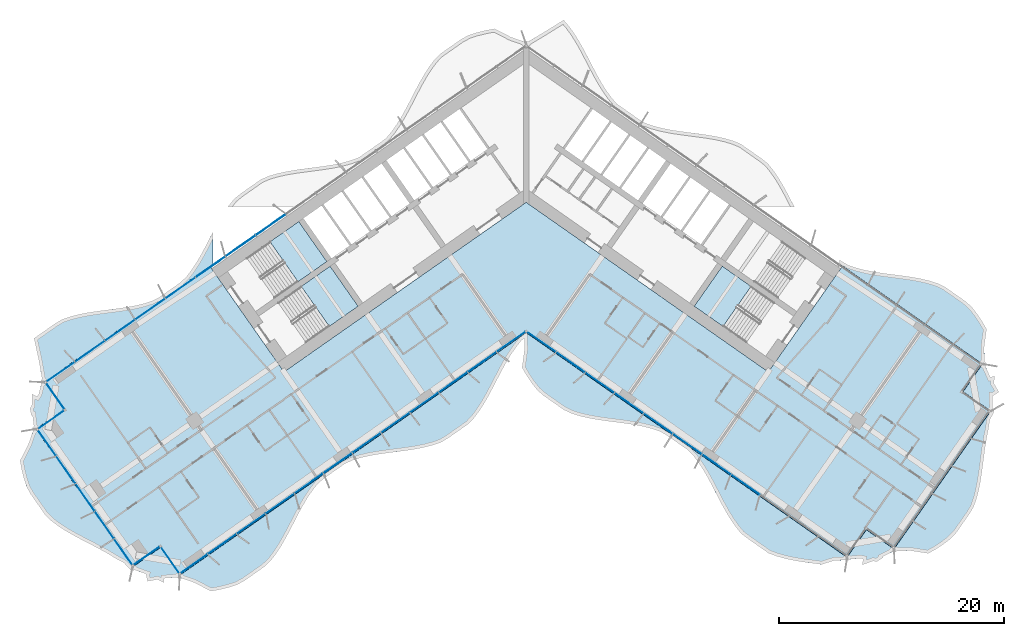
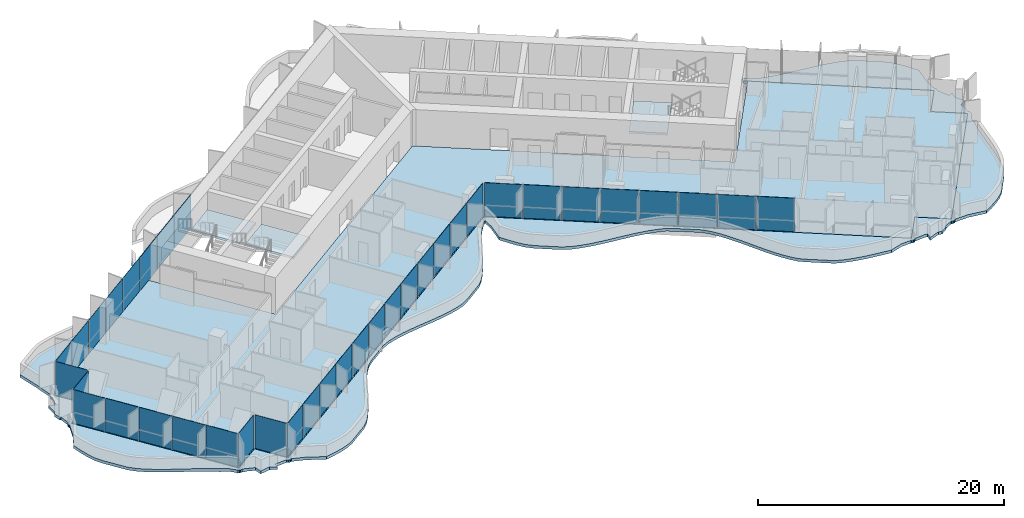
# One storey, part 10 of 23: 37 plates, 5 slabs, 5 elements without a shape of their own.
"""IFC4 building model written with IfcOpenShell, lengths in metres."""

from ifc_helpers import new_model, si_unit, direction, frame, origin, origin_2d, place, context, subcontext, project, spatial, polyline, rectangle, outline, extrude, material, layer, layer_set, type_object, element, aggregate, save


model = new_model("IFC4")

# Units and contexts
model_context = context("Model", 3, precision=1e-05, world=origin(), true_north=direction((0.0, 1.0)))
body_context = subcontext(model_context, "Body", "Model", "MODEL_VIEW")
ifc_project = project(units=[si_unit("LENGTHUNIT", "METRE"), si_unit("AREAUNIT", "SQUARE_METRE"), si_unit("VOLUMEUNIT", "CUBIC_METRE"), si_unit("PLANEANGLEUNIT", "RADIAN"), si_unit("MASSUNIT", "GRAM", prefix="KILO")], contexts=[model_context])

# Site, building, storey
site_placement = place(None, origin())
site = spatial("IfcSite", under=ifc_project, at=site_placement, CompositionType="ELEMENT")
building_placement = place(site_placement, origin())
building = spatial("IfcBuilding", under=site, at=building_placement, Name="Tel Ilan Convention Tower", CompositionType="ELEMENT")
storey_placement = place(building_placement, frame((0.0, 0.0, 94.10009765625)))
storey = spatial("IfcBuildingStorey", under=building, at=storey_placement, Name="L19", CompositionType="ELEMENT", Elevation=94.10009765625)

# Curtain wall, plates
ifc_material_1 = material(Name="Aluminium, bronze anodised", Category="aluminium")
curtain_wall_type_1 = type_object("IfcCurtainWallType", Name="CW1 UNITISED CURTAIN WALL, HOTEL TINTED GLASS", PredefinedType="NOTDEFINED", material=ifc_material_1)
curtain_wall_1_placement = place(storey_placement, origin())
curtain_wall_1 = element("IfcCurtainWall", 1, at=curtain_wall_1_placement, inside=storey, type_object=curtain_wall_type_1, Name="Curtain wall CW1-17.02", PredefinedType="NOTDEFINED")
ifc_material_2 = material(Name="Glass, bronze tinted, two-ply unitised", Category="glass")
ifc_layer_1 = layer(ifc_material_2, 0.028076171875)
ifc_layer_set_1 = layer_set([ifc_layer_1], Name="CW HOTEL GLASS PANEL 28")
plate_type_1 = type_object("IfcPlateType", Name="CW HOTEL GLASS PANEL 28", PredefinedType="CURTAIN_PANEL", material=ifc_layer_set_1)
plate_1_placement = place(storey_placement, frame((-30.765869140625, -8.846435546875, 0.0), z_axis=(0.0, 0.0, 1.0), x_axis=(-0.819152044289, -0.573576436351, 0.0)))
plate_1 = element("IfcPlate", 2, at=plate_1_placement, type_object=plate_type_1, Name="Glass panel", PredefinedType="CURTAIN_PANEL", context=body_context, shape_type="SweptSolid", body=[
    extrude(rectangle(XDim=3.2119140625, YDim=0.028076171875, at=origin_2d()), origin(), (0.0, 0.0, 1.0), 3.320068359375),
])
plate_2_placement = place(storey_placement, frame((-33.446044921875, -10.72314453125, 0.0), z_axis=(0.0, 0.0, 1.0), x_axis=(-0.819152044289, -0.573576436351, 0.0)))
plate_2 = element("IfcPlate", 3, at=plate_2_placement, type_object=plate_type_1, Name="Glass panel", PredefinedType="CURTAIN_PANEL", context=body_context, shape_type="SweptSolid", body=[
    extrude(rectangle(XDim=3.2119140625, YDim=0.028076171875, at=origin_2d()), origin(), (0.0, 0.0, 1.0), 3.320068359375),
])
plate_3_placement = place(storey_placement, frame((-36.12646484375, -12.599853515625, 0.0), z_axis=(0.0, 0.0, 1.0), x_axis=(-0.819152044289, -0.573576436351, 0.0)))
plate_3 = element("IfcPlate", 4, at=plate_3_placement, type_object=plate_type_1, Name="Glass panel", PredefinedType="CURTAIN_PANEL", context=body_context, shape_type="SweptSolid", body=[
    extrude(rectangle(XDim=3.2119140625, YDim=0.028076171875, at=origin_2d()), origin(), (0.0, 0.0, 1.0), 3.320068359375),
])
plate_4_placement = place(storey_placement, frame((-38.806640625, -14.4765625, 0.0), z_axis=(0.0, 0.0, 1.0), x_axis=(-0.819152044289, -0.573576436351, 0.0)))
plate_4 = element("IfcPlate", 5, at=plate_4_placement, type_object=plate_type_1, Name="Glass panel", PredefinedType="CURTAIN_PANEL", context=body_context, shape_type="SweptSolid", body=[
    extrude(rectangle(XDim=3.2119140625, YDim=0.028076171875, at=origin_2d()), origin(), (0.0, 0.0, 1.0), 3.320068359375),
])
plate_5_placement = place(storey_placement, frame((-41.448486328125, -16.326416015625, 0.0), z_axis=(0.0, 0.0, 1.0), x_axis=(-0.819152044289, -0.573576436351, 0.0)))
plate_5 = element("IfcPlate", 6, at=plate_5_placement, type_object=plate_type_1, Name="Glass panel", PredefinedType="CURTAIN_PANEL", context=body_context, shape_type="SweptSolid", body=[
    extrude(rectangle(XDim=3.117919921875, YDim=0.028076171875, at=origin_2d()), origin(), (0.0, 0.0, 1.0), 3.320068359375),
])
plate_6_placement = place(storey_placement, frame((-41.90673828125, -18.431640625, 0.0), z_axis=(0.0, 0.0, 1.0), x_axis=(0.573576436351, -0.819152044289, 0.0)))
plate_6 = element("IfcPlate", 7, at=plate_6_placement, type_object=plate_type_1, Name="Glass panel", PredefinedType="CURTAIN_PANEL", context=body_context, shape_type="SweptSolid", body=[
    extrude(rectangle(XDim=2.875, YDim=0.028076171875, at=origin_2d()), origin(), (0.0, 0.0, 1.0), 3.320068359375),
])
plate_7_placement = place(storey_placement, frame((-42.28466796875, -20.57421875, 0.0), z_axis=(0.0, 0.0, 1.0), x_axis=(-0.819152044289, -0.573576436351, 0.0)))
plate_7 = element("IfcPlate", 8, at=plate_7_placement, type_object=plate_type_1, Name="Glass panel", PredefinedType="CURTAIN_PANEL", context=body_context, shape_type="SweptSolid", body=[
    extrude(rectangle(XDim=2.875, YDim=0.028076171875, at=origin_2d()), origin(), (0.0, 0.0, 1.0), 3.320068359375),
])
plate_8_placement = place(storey_placement, frame((-42.65185546875, -22.597900390625, 0.0), z_axis=(0.0, 0.0, 1.0), x_axis=(0.573576436351, -0.819152044289, 0.0)))
plate_8 = element("IfcPlate", 9, at=plate_8_placement, type_object=plate_type_1, Name="Glass panel", PredefinedType="CURTAIN_PANEL", context=body_context, shape_type="SweptSolid", body=[
    extrude(rectangle(XDim=2.845947265625, YDim=0.028076171875, at=origin_2d()), origin(), (0.0, 0.0, 1.0), 3.320068359375),
])
plate_9_placement = place(storey_placement, frame((-40.9580078125, -25.016845703125, 0.0), z_axis=(0.0, 0.0, 1.0), x_axis=(0.573576436351, -0.819152044289, 0.0)))
plate_9 = element("IfcPlate", 10, at=plate_9_placement, type_object=plate_type_1, Name="Glass panel", PredefinedType="CURTAIN_PANEL", context=body_context, shape_type="SweptSolid", body=[
    extrude(rectangle(XDim=2.93994140625, YDim=0.028076171875, at=origin_2d()), origin(), (0.0, 0.0, 1.0), 3.320068359375),
])
plate_10_placement = place(storey_placement, frame((-39.2373046875, -27.474365234375, 0.0), z_axis=(0.0, 0.0, 1.0), x_axis=(0.573576436351, -0.819152044289, 0.0)))
plate_10 = element("IfcPlate", 11, at=plate_10_placement, type_object=plate_type_1, Name="Glass panel", PredefinedType="CURTAIN_PANEL", context=body_context, shape_type="SweptSolid", body=[
    extrude(rectangle(XDim=2.93994140625, YDim=0.028076171875, at=origin_2d()), origin(), (0.0, 0.0, 1.0), 3.320068359375),
])
plate_11_placement = place(storey_placement, frame((-37.5166015625, -29.931884765625, 0.0), z_axis=(0.0, 0.0, 1.0), x_axis=(0.573576436351, -0.819152044289, 0.0)))
plate_11 = element("IfcPlate", 12, at=plate_11_placement, type_object=plate_type_1, Name="Glass panel", PredefinedType="CURTAIN_PANEL", context=body_context, shape_type="SweptSolid", body=[
    extrude(rectangle(XDim=2.93994140625, YDim=0.028076171875, at=origin_2d()), origin(), (0.0, 0.0, 1.0), 3.320068359375),
])
plate_12_placement = place(storey_placement, frame((-35.822998046875, -32.350830078125, 0.0), z_axis=(0.0, 0.0, 1.0), x_axis=(0.573576436351, -0.819152044289, 0.0)))
plate_12 = element("IfcPlate", 13, at=plate_12_placement, type_object=plate_type_1, Name="Glass panel", PredefinedType="CURTAIN_PANEL", context=body_context, shape_type="SweptSolid", body=[
    extrude(rectangle(XDim=2.845947265625, YDim=0.028076171875, at=origin_2d()), origin(), (0.0, 0.0, 1.0), 3.320068359375),
])
plate_13_placement = place(storey_placement, frame((-33.795654296875, -32.69775390625, 0.0), z_axis=(0.0, 0.0, 1.0), x_axis=(0.819152044289, 0.573576436351, 0.0)))
plate_13 = element("IfcPlate", 14, at=plate_13_placement, type_object=plate_type_1, Name="Glass panel", PredefinedType="CURTAIN_PANEL", context=body_context, shape_type="SweptSolid", body=[
    extrude(rectangle(XDim=2.875, YDim=0.028076171875, at=origin_2d()), origin(), (0.0, 0.0, 1.0), 3.320068359375),
])
plate_14_placement = place(storey_placement, frame((-31.653076171875, -33.07568359375, 0.0), z_axis=(0.0, 0.0, 1.0), x_axis=(0.573576436351, -0.819152044289, 0.0)))
plate_14 = element("IfcPlate", 15, at=plate_14_placement, type_object=plate_type_1, Name="Glass panel", PredefinedType="CURTAIN_PANEL", context=body_context, shape_type="SweptSolid", body=[
    extrude(rectangle(XDim=2.875, YDim=0.028076171875, at=origin_2d()), origin(), (0.0, 0.0, 1.0), 3.320068359375),
])
plate_15_placement = place(storey_placement, frame((-29.5732421875, -33.4033203125, 0.0), z_axis=(0.0, 0.0, 1.0), x_axis=(0.819152044289, 0.573576436351, 0.0)))
plate_15 = element("IfcPlate", 16, at=plate_15_placement, type_object=plate_type_1, Name="Glass panel", PredefinedType="CURTAIN_PANEL", context=body_context, shape_type="SweptSolid", body=[
    extrude(rectangle(XDim=2.9833984375, YDim=0.028076171875, at=origin_2d()), origin(), (0.0, 0.0, 1.0), 3.320068359375),
])
plate_16_placement = place(storey_placement, frame((-27.041748046875, -31.630859375, 0.0), z_axis=(0.0, 0.0, 1.0), x_axis=(0.819152044289, 0.573576436351, 0.0)))
plate_16 = element("IfcPlate", 17, at=plate_16_placement, type_object=plate_type_1, Name="Glass panel", PredefinedType="CURTAIN_PANEL", context=body_context, shape_type="SweptSolid", body=[
    extrude(rectangle(XDim=3.077392578125, YDim=0.028076171875, at=origin_2d()), origin(), (0.0, 0.0, 1.0), 3.320068359375),
])
plate_17_placement = place(storey_placement, frame((-24.4716796875, -29.831298828125, 0.0), z_axis=(0.0, 0.0, 1.0), x_axis=(0.819152044289, 0.573576436351, 0.0)))
plate_17 = element("IfcPlate", 18, at=plate_17_placement, type_object=plate_type_1, Name="Glass panel", PredefinedType="CURTAIN_PANEL", context=body_context, shape_type="SweptSolid", body=[
    extrude(rectangle(XDim=3.077392578125, YDim=0.028076171875, at=origin_2d()), origin(), (0.0, 0.0, 1.0), 3.320068359375),
])
plate_18_placement = place(storey_placement, frame((-21.90185546875, -28.031982421875, 0.0), z_axis=(0.0, 0.0, 1.0), x_axis=(0.819152044289, 0.573576436351, 0.0)))
plate_18 = element("IfcPlate", 19, at=plate_18_placement, type_object=plate_type_1, Name="Glass panel", PredefinedType="CURTAIN_PANEL", context=body_context, shape_type="SweptSolid", body=[
    extrude(rectangle(XDim=3.077392578125, YDim=0.028076171875, at=origin_2d()), origin(), (0.0, 0.0, 1.0), 3.320068359375),
])
plate_19_placement = place(storey_placement, frame((-19.33203125, -26.232421875, 0.0), z_axis=(0.0, 0.0, 1.0), x_axis=(0.819152044289, 0.573576436351, 0.0)))
plate_19 = element("IfcPlate", 20, at=plate_19_placement, type_object=plate_type_1, Name="Glass panel", PredefinedType="CURTAIN_PANEL", context=body_context, shape_type="SweptSolid", body=[
    extrude(rectangle(XDim=3.077392578125, YDim=0.028076171875, at=origin_2d()), origin(), (0.0, 0.0, 1.0), 3.320068359375),
])
plate_20_placement = place(storey_placement, frame((-16.761962890625, -24.432861328125, 0.0), z_axis=(0.0, 0.0, 1.0), x_axis=(0.819152044289, 0.573576436351, 0.0)))
plate_20 = element("IfcPlate", 21, at=plate_20_placement, type_object=plate_type_1, Name="Glass panel", PredefinedType="CURTAIN_PANEL", context=body_context, shape_type="SweptSolid", body=[
    extrude(rectangle(XDim=3.077392578125, YDim=0.028076171875, at=origin_2d()), origin(), (0.0, 0.0, 1.0), 3.320068359375),
])
plate_21_placement = place(storey_placement, frame((-14.192138671875, -22.633544921875, 0.0), z_axis=(0.0, 0.0, 1.0), x_axis=(0.819152044289, 0.573576436351, 0.0)))
plate_21 = element("IfcPlate", 22, at=plate_21_placement, type_object=plate_type_1, Name="Glass panel", PredefinedType="CURTAIN_PANEL", context=body_context, shape_type="SweptSolid", body=[
    extrude(rectangle(XDim=3.077392578125, YDim=0.028076171875, at=origin_2d()), origin(), (0.0, 0.0, 1.0), 3.320068359375),
])
plate_22_placement = place(storey_placement, frame((-11.6220703125, -20.833984375, 0.0), z_axis=(0.0, 0.0, 1.0), x_axis=(0.819152044289, 0.573576436351, 0.0)))
plate_22 = element("IfcPlate", 23, at=plate_22_placement, type_object=plate_type_1, Name="Glass panel", PredefinedType="CURTAIN_PANEL", context=body_context, shape_type="SweptSolid", body=[
    extrude(rectangle(XDim=3.077392578125, YDim=0.028076171875, at=origin_2d()), origin(), (0.0, 0.0, 1.0), 3.320068359375),
])
plate_23_placement = place(storey_placement, frame((-9.05224609375, -19.034423828125, 0.0), z_axis=(0.0, 0.0, 1.0), x_axis=(0.819152044289, 0.573576436351, 0.0)))
plate_23 = element("IfcPlate", 24, at=plate_23_placement, type_object=plate_type_1, Name="Glass panel", PredefinedType="CURTAIN_PANEL", context=body_context, shape_type="SweptSolid", body=[
    extrude(rectangle(XDim=3.077392578125, YDim=0.028076171875, at=origin_2d()), origin(), (0.0, 0.0, 1.0), 3.320068359375),
])
plate_24_placement = place(storey_placement, frame((-6.482177734375, -17.23486328125, 0.0), z_axis=(0.0, 0.0, 1.0), x_axis=(0.819152044289, 0.573576436351, 0.0)))
plate_24 = element("IfcPlate", 25, at=plate_24_placement, type_object=plate_type_1, Name="Glass panel", PredefinedType="CURTAIN_PANEL", context=body_context, shape_type="SweptSolid", body=[
    extrude(rectangle(XDim=3.077392578125, YDim=0.028076171875, at=origin_2d()), origin(), (0.0, 0.0, 1.0), 3.320068359375),
])
plate_25_placement = place(storey_placement, frame((-3.912353515625, -15.435546875, 0.0), z_axis=(0.0, 0.0, 1.0), x_axis=(0.819152044289, 0.573576436351, 0.0)))
plate_25 = element("IfcPlate", 26, at=plate_25_placement, type_object=plate_type_1, Name="Glass panel", PredefinedType="CURTAIN_PANEL", context=body_context, shape_type="SweptSolid", body=[
    extrude(rectangle(XDim=3.077392578125, YDim=0.028076171875, at=origin_2d()), origin(), (0.0, 0.0, 1.0), 3.320068359375),
])
plate_26_placement = place(storey_placement, frame((-1.3427734375, -13.63623046875, 0.0), z_axis=(0.0, 0.0, 1.0), x_axis=(0.819152044289, 0.573576436351, 0.0)))
plate_26 = element("IfcPlate", 27, at=plate_26_placement, type_object=plate_type_1, Name="Glass panel", PredefinedType="CURTAIN_PANEL", context=body_context, shape_type="SweptSolid", body=[
    extrude(rectangle(XDim=3.076416015625, YDim=0.028076171875, at=origin_2d()), origin(), (0.0, 0.0, 1.0), 3.320068359375),
])
plate_27_placement = place(storey_placement, frame((1.366943359375, -13.653076171875, 0.0), z_axis=(0.0, 0.0, 1.0), x_axis=(0.819152044289, -0.573576436351, 0.0)))
plate_27 = element("IfcPlate", 28, at=plate_27_placement, type_object=plate_type_1, Name="Glass panel", PredefinedType="CURTAIN_PANEL", context=body_context, shape_type="SweptSolid", body=[
    extrude(rectangle(XDim=3.078857421875, YDim=0.028076171875, at=origin_2d()), origin(), (0.0, 0.0, 1.0), 3.320068359375),
])
plate_28_placement = place(storey_placement, frame((3.949951171875, -15.4619140625, 0.0), z_axis=(0.0, 0.0, 1.0), x_axis=(0.819152044289, -0.573576436351, 0.0)))
plate_28 = element("IfcPlate", 29, at=plate_28_placement, type_object=plate_type_1, Name="Glass panel", PredefinedType="CURTAIN_PANEL", context=body_context, shape_type="SweptSolid", body=[
    extrude(rectangle(XDim=3.10791015625, YDim=0.028076171875, at=origin_2d()), origin(), (0.0, 0.0, 1.0), 3.320068359375),
])
plate_29_placement = place(storey_placement, frame((6.544921875, -17.27880859375, 0.0), z_axis=(0.0, 0.0, 1.0), x_axis=(0.819152044289, -0.573576436351, 0.0)))
plate_29 = element("IfcPlate", 30, at=plate_29_placement, type_object=plate_type_1, Name="Glass panel", PredefinedType="CURTAIN_PANEL", context=body_context, shape_type="SweptSolid", body=[
    extrude(rectangle(XDim=3.10791015625, YDim=0.028076171875, at=origin_2d()), origin(), (0.0, 0.0, 1.0), 3.320068359375),
])
plate_30_placement = place(storey_placement, frame((9.14013671875, -19.095947265625, 0.0), z_axis=(0.0, 0.0, 1.0), x_axis=(0.819152044289, -0.573576436351, 0.0)))
plate_30 = element("IfcPlate", 31, at=plate_30_placement, type_object=plate_type_1, Name="Glass panel", PredefinedType="CURTAIN_PANEL", context=body_context, shape_type="SweptSolid", body=[
    extrude(rectangle(XDim=3.10791015625, YDim=0.028076171875, at=origin_2d()), origin(), (0.0, 0.0, 1.0), 3.320068359375),
])
plate_31_placement = place(storey_placement, frame((11.735107421875, -20.9130859375, 0.0), z_axis=(0.0, 0.0, 1.0), x_axis=(0.819152044289, -0.573576436351, 0.0)))
plate_31 = element("IfcPlate", 32, at=plate_31_placement, type_object=plate_type_1, Name="Glass panel", PredefinedType="CURTAIN_PANEL", context=body_context, shape_type="SweptSolid", body=[
    extrude(rectangle(XDim=3.10791015625, YDim=0.028076171875, at=origin_2d()), origin(), (0.0, 0.0, 1.0), 3.320068359375),
])
plate_32_placement = place(storey_placement, frame((14.330078125, -22.730224609375, 0.0), z_axis=(0.0, 0.0, 1.0), x_axis=(0.819152044289, -0.573576436351, 0.0)))
plate_32 = element("IfcPlate", 33, at=plate_32_placement, type_object=plate_type_1, Name="Glass panel", PredefinedType="CURTAIN_PANEL", context=body_context, shape_type="SweptSolid", body=[
    extrude(rectangle(XDim=3.10791015625, YDim=0.028076171875, at=origin_2d()), origin(), (0.0, 0.0, 1.0), 3.320068359375),
])
plate_33_placement = place(storey_placement, frame((16.92529296875, -24.54736328125, 0.0), z_axis=(0.0, 0.0, 1.0), x_axis=(0.819152044289, -0.573576436351, 0.0)))
plate_33 = element("IfcPlate", 34, at=plate_33_placement, type_object=plate_type_1, Name="Glass panel", PredefinedType="CURTAIN_PANEL", context=body_context, shape_type="SweptSolid", body=[
    extrude(rectangle(XDim=3.10791015625, YDim=0.028076171875, at=origin_2d()), origin(), (0.0, 0.0, 1.0), 3.320068359375),
])
plate_34_placement = place(storey_placement, frame((19.520263671875, -26.3642578125, 0.0), z_axis=(0.0, 0.0, 1.0), x_axis=(0.819152044289, -0.573576436351, 0.0)))
plate_34 = element("IfcPlate", 35, at=plate_34_placement, type_object=plate_type_1, Name="Glass panel", PredefinedType="CURTAIN_PANEL", context=body_context, shape_type="SweptSolid", body=[
    extrude(rectangle(XDim=3.10791015625, YDim=0.028076171875, at=origin_2d()), origin(), (0.0, 0.0, 1.0), 3.320068359375),
])
aggregate(curtain_wall_1, [plate_1, plate_2, plate_3, plate_4, plate_5, plate_6, plate_7, plate_8, plate_9, plate_10, plate_11, plate_12, plate_13, plate_14, plate_15, plate_16, plate_17, plate_18, plate_19, plate_20, plate_21, plate_22, plate_23, plate_24, plate_25, plate_26, plate_27, plate_28, plate_29, plate_30, plate_31, plate_32, plate_33, plate_34])

ifc_material_3 = material(Name="Aluminium, bronze anodised", Category="aluminium")
curtain_wall_type_2 = type_object("IfcCurtainWallType", Name="CW2 STICK CURTAIN WALL, SPANDREL PANELS", PredefinedType="NOTDEFINED", material=ifc_material_3)
curtain_wall_2_placement = place(storey_placement, origin())
curtain_wall_2 = element("IfcCurtainWall", 36, at=curtain_wall_2_placement, inside=storey, type_object=curtain_wall_type_2, Name="Curtain wall CW2-17.01", PredefinedType="NOTDEFINED")
ifc_material_4 = material(Name="Aluminium composite panel, bronze anodised", Category="aluminium")
ifc_layer_2 = layer(ifc_material_4, 0.06005859375)
ifc_layer_set_2 = layer_set([ifc_layer_2], Name="CW SPANDREL PANEL 60")
plate_type_2 = type_object("IfcPlateType", Name="CW SPANDREL PANEL 60", PredefinedType="CURTAIN_PANEL", material=ifc_layer_set_2)
plate_35_placement = place(storey_placement, frame((-22.72509765625, -3.216064453125, 0.0), z_axis=(0.0, 0.0, 1.0), x_axis=(-0.819152044289, -0.573576436351, 0.0)))
plate_35 = element("IfcPlate", 37, at=plate_35_placement, type_object=plate_type_2, Name="Spandrel panel", PredefinedType="CURTAIN_PANEL", context=body_context, shape_type="SweptSolid", body=[
    extrude(rectangle(XDim=3.2119140625, YDim=0.06005859375, at=origin_2d()), origin(), (0.0, 0.0, 1.0), 3.320068359375),
])
plate_36_placement = place(storey_placement, frame((-25.4052734375, -5.0927734375, 0.0), z_axis=(0.0, 0.0, 1.0), x_axis=(-0.819152044289, -0.573576436351, 0.0)))
plate_36 = element("IfcPlate", 38, at=plate_36_placement, type_object=plate_type_2, Name="Spandrel panel", PredefinedType="CURTAIN_PANEL", context=body_context, shape_type="SweptSolid", body=[
    extrude(rectangle(XDim=3.2119140625, YDim=0.06005859375, at=origin_2d()), origin(), (0.0, 0.0, 1.0), 3.320068359375),
])
plate_37_placement = place(storey_placement, frame((-28.08544921875, -6.9697265625, 0.0), z_axis=(0.0, 0.0, 1.0), x_axis=(-0.819152044289, -0.573576436351, 0.0)))
plate_37 = element("IfcPlate", 39, at=plate_37_placement, type_object=plate_type_2, Name="Spandrel panel", PredefinedType="CURTAIN_PANEL", context=body_context, shape_type="SweptSolid", body=[
    extrude(rectangle(XDim=3.2119140625, YDim=0.06005859375, at=origin_2d()), origin(), (0.0, 0.0, 1.0), 3.320068359375),
])
aggregate(curtain_wall_2, [plate_35, plate_36, plate_37])

# Stair, slab
ifc_material_5 = material(Name="Concrete C40/50", Category="concrete")
stair_type = type_object("IfcStairType", Name="Pressurised Exit Stair 20 risers 180 mm", PredefinedType="HALF_TURN_STAIR", material=ifc_material_5)
stair_1_placement = place(storey_placement, origin())
stair_1 = element("IfcStair", 40, at=stair_1_placement, inside=storey, type_object=stair_type, Name="L19 Pressurised Stair S1", PredefinedType="HALF_TURN_STAIR")
ifc_material_6 = material(Name="Concrete C40/50", Category="concrete")
ifc_layer_3 = layer(ifc_material_6, 0.199951171875)
ifc_layer_set_3 = layer_set([ifc_layer_3], Name="Concrete Stair Landing 200 mm C40/50")
slab_type_1 = type_object("IfcSlabType", Name="Concrete Stair Landing 200 mm", PredefinedType="LANDING", material=ifc_layer_set_3)
slab_1_placement = place(storey_placement, frame((0.0, 0.0, 1.599853515625)))
slab_1 = element("IfcSlab", 41, at=slab_1_placement, type_object=slab_type_1, Name="S1 landing 1", PredefinedType="LANDING", context=body_context, shape_type="SweptSolid", body=[
    extrude(outline(polyline([(-20.2958984375, -8.29052734375), (-17.7314453125, -6.494873046875), (-20.226318359375, -2.931640625), (-22.791015625, -4.727294921875), (-20.2958984375, -8.29052734375)])), origin(), (0.0, 0.0, 1.0), 0.199951171875),
])
aggregate(stair_1, [slab_1])

stair_2_placement = place(storey_placement, origin())
stair_2 = element("IfcStair", 42, at=stair_2_placement, inside=storey, type_object=stair_type, Name="L19 Pressurised Stair S2", PredefinedType="HALF_TURN_STAIR")
slab_2_placement = place(storey_placement, frame((0.0, 0.0, 1.599853515625)))
slab_2 = element("IfcSlab", 43, at=slab_2_placement, type_object=slab_type_1, Name="S2 landing 1", PredefinedType="LANDING", context=body_context, shape_type="SweptSolid", body=[
    extrude(outline(polyline([(-17.51416015625, -12.263427734375), (-14.949462890625, -10.4677734375), (-17.444580078125, -6.904541015625), (-20.00927734375, -8.7001953125), (-17.51416015625, -12.263427734375)])), origin(), (0.0, 0.0, 1.0), 0.199951171875),
])
aggregate(stair_2, [slab_2])

stair_3_placement = place(storey_placement, origin())
stair_3 = element("IfcStair", 44, at=stair_3_placement, inside=storey, type_object=stair_type, Name="L19 Pressurised Stair S4", PredefinedType="HALF_TURN_STAIR")
slab_3_placement = place(storey_placement, frame((0.0, 0.0, 1.599853515625)))
slab_3 = element("IfcSlab", 45, at=slab_3_placement, type_object=slab_type_1, Name="S4 landing 1", PredefinedType="LANDING", context=body_context, shape_type="SweptSolid", body=[
    extrude(outline(polyline([(20.00927734375, -8.7001953125), (17.444580078125, -6.904541015625), (14.949462890625, -10.4677734375), (17.51416015625, -12.263427734375), (20.00927734375, -8.7001953125)])), origin(), (0.0, 0.0, 1.0), 0.199951171875),
])
aggregate(stair_3, [slab_3])

# Slabs
ifc_material_7 = material(Name="Concrete C40/50", Category="concrete")
ifc_layer_4 = layer(ifc_material_7, 0.280029296875)
ifc_layer_set_4 = layer_set([ifc_layer_4], Name="Edge Ledge Slab 280 mm C40/50")
slab_type_2 = type_object("IfcSlabType", Name="Edge Ledge Slab 280 mm C40/50", PredefinedType="FLOOR", material=ifc_layer_set_4)
slab_4_placement = place(storey_placement, frame((0.0, 0.0, -0.280029296875)))
element("IfcSlab", 46, at=slab_4_placement, inside=storey, type_object=slab_type_2, Name="L19 edge ledge 1", PredefinedType="FLOOR", context=body_context, shape_type="SweptSolid", body=[
    extrude(outline(polyline([(-32.20068359375, -35.082763671875), (-32.80029296875, -34.77490234375), (-33.688720703125, -34.9423828125), (-33.821533203125, -34.302734375), (-33.810546875, -34.284912109375), (-34.845458984375, -33.921142578125), (-34.8486328125, -33.91650390625), (-34.902587890625, -33.952392578125), (-35.017578125, -33.975341796875), (-35.13232421875, -33.952392578125), (-35.2294921875, -33.887451171875), (-35.258544921875, -33.843994140625), (-35.26318359375, -33.847412109375), (-35.783203125, -33.2958984375), (-36.523681640625, -32.89892578125), (-37.22021484375, -32.470703125), (-37.94970703125, -32.066162109375), (-38.698486328125, -31.6748046875), (-39.452392578125, -31.287353515625), (-40.196533203125, -30.892578125), (-40.91650390625, -30.481201171875), (-41.59912109375, -30.04345703125), (-42.232421875, -29.571533203125), (-42.7802734375, -29.03955078125), (-44.07080078125, -27.1962890625), (-44.438720703125, -26.538330078125), (-44.68408203125, -25.794677734375), (-44.876953125, -25.01416015625), (-45.028564453125, -24.20458984375), (-44.2939453125, -22.77490234375), (-43.866943359375, -21.56005859375), (-43.8623046875, -21.556884765625), (-43.898193359375, -21.502685546875), (-43.921142578125, -21.387939453125), (-43.898193359375, -21.273193359375), (-43.833251953125, -21.17578125), (-43.789794921875, -21.14697265625), (-43.793212890625, -21.142333984375), (-43.909912109375, -20.177978515625), (-44.01318359375, -20.197509765625), (-44.14599609375, -19.55810546875), (-43.9833984375, -19.29150390625), (-43.980224609375, -18.259765625), (-43.50390625, -18.504638671875), (-43.3671875, -18.2802734375), (-43.130126953125, -17.3818359375), (-43.12548828125, -17.378662109375), (-43.16162109375, -17.32470703125), (-43.184326171875, -17.209716796875), (-43.16162109375, -17.094970703125), (-43.096435546875, -16.997802734375), (-43.05322265625, -16.96875), (-43.056396484375, -16.964111328125), (-43.364990234375, -15.219482421875), (-43.78125, -13.321044921875), (-43.168701171875, -12.89208984375), (-41.943603515625, -12.0341796875), (-41.30322265625, -11.64453125), (-40.56787109375, -11.390869140625), (-39.794921875, -11.19091796875), (-38.99169921875, -11.033935546875), (-38.1669921875, -10.90771484375), (-37.33056640625, -10.798583984375), (-36.4921875, -10.69189453125), (-35.66259765625, -10.572998046875), (-34.851318359375, -10.427734375), (-34.067138671875, -10.243408203125), (-33.318603515625, -10.0087890625), (-32.6416015625, -9.671630859375), (-30.8037109375, -8.384765625), (-30.250244140625, -7.87109375), (-29.772216796875, -7.250244140625), (-29.329345703125, -6.57861328125), (-28.91455078125, -5.8671875), (-28.518310546875, -5.129150390625), (-28.131103515625, -4.378173828125), (-27.875, -3.883544921875), (-27.875, -6.7001953125), (-42.884521484375, -17.209716796875), (-41.163818359375, -19.667236328125), (-43.62109375, -21.387939453125), (-35.017578125, -33.67529296875), (-32.56005859375, -31.95458984375), (-30.83935546875, -34.412109375), (0.0, -12.818115234375), (28.545654296875, -32.805908203125), (30.266357421875, -30.3486328125), (32.723876953125, -32.0693359375), (41.327392578125, -19.781982421875), (38.8701171875, -18.061279296875), (40.5908203125, -15.603759765625), (27.875, -6.7001953125), (27.875, -6.333740234375), (28.040283203125, -6.44970703125), (28.68408203125, -6.820068359375), (29.414794921875, -7.0654296875), (30.181884765625, -7.259521484375), (30.97802734375, -7.412109375), (31.79443359375, -7.535400390625), (32.6220703125, -7.64306640625), (33.450927734375, -7.748779296875), (34.27099609375, -7.86669921875), (35.072998046875, -8.0107421875), (35.84814453125, -8.193115234375), (36.5888671875, -8.4248046875), (37.260498046875, -8.755126953125), (39.077880859375, -10.027587890625), (39.63232421875, -10.525390625), (40.108154296875, -11.13525390625), (40.548583984375, -11.795654296875), (40.96044921875, -12.496826171875), (40.743408203125, -14.096435546875), (40.7626953125, -15.358154296875), (40.759521484375, -15.36279296875), (40.802978515625, -15.3916015625), (40.867919921875, -15.489013671875), (40.890869140625, -15.603759765625), (40.867919921875, -15.718505859375), (40.831787109375, -15.772705078125), (40.83642578125, -15.77587890625), (41.29638671875, -16.79443359375), (41.686767578125, -16.65380859375), (41.602294921875, -17.322509765625), (42.063720703125, -18.10009765625), (41.508056640625, -18.443603515625), (41.487548828125, -18.439453125), (41.49951171875, -19.536376953125), (41.496337890625, -19.541015625), (41.53955078125, -19.56982421875), (41.604736328125, -19.667236328125), (41.62744140625, -19.781982421875), (41.604736328125, -19.896728515625), (41.568603515625, -19.95068359375), (41.5732421875, -19.9541015625), (41.24267578125, -20.594482421875), (41.12841796875, -21.386474609375), (40.97021484375, -22.147705078125), (40.841064453125, -22.929443359375), (40.732421875, -23.72509765625), (40.631103515625, -24.5263671875), (40.52490234375, -25.323974609375), (40.40087890625, -26.10888671875), (40.247314453125, -26.87353515625), (40.0537109375, -27.60986328125), (39.810791015625, -28.311767578125), (39.44189453125, -28.925537109375), (38.212890625, -30.680908203125), (37.701904296875, -31.195068359375), (37.104736328125, -31.64892578125), (36.4619140625, -32.07080078125), (35.769775390625, -32.4580078125), (34.16845703125, -32.208740234375), (32.969482421875, -32.241455078125), (32.96484375, -32.238037109375), (32.93603515625, -32.281494140625), (32.838623046875, -32.346435546875), (32.723876953125, -32.369384765625), (32.60888671875, -32.346435546875), (32.554931640625, -32.310302734375), (32.5517578125, -32.31494140625), (31.685546875, -32.75439453125), (31.7392578125, -32.8447265625), (31.18359375, -33.188232421875), (30.877685546875, -33.126708984375), (29.9072265625, -33.476806640625), (29.97412109375, -32.9453125), (29.716796875, -32.8935546875), (28.79150390625, -32.97802734375), (28.78662109375, -32.974853515625), (28.7578125, -33.018310546875), (28.660400390625, -33.083251953125), (28.545654296875, -33.10595703125), (28.430908203125, -33.083251953125), (28.376953125, -33.047119140625), (28.37353515625, -33.0517578125), (27.44921875, -33.079345703125), (26.29443359375, -33.435546875), (25.462646484375, -33.3310546875), (24.635986328125, -33.218994140625), (23.824462890625, -33.08544921875), (23.03662109375, -32.91748046875), (22.281005859375, -32.7041015625), (21.564697265625, -32.434814453125), (19.742431640625, -31.158935546875), (19.1513671875, -30.71044921875), (18.660888671875, -30.1181640625), (18.2080078125, -29.47216796875), (17.785888671875, -28.782470703125), (17.38623046875, -28.060546875), (16.999755859375, -27.31982421875), (16.61669921875, -26.574462890625), (16.2265625, -25.838623046875), (15.8203125, -25.12646484375), (15.388427734375, -24.450439453125), (14.92333984375, -23.822021484375), (14.404296875, -23.2705078125), (12.58251953125, -21.99462890625), (11.9423828125, -21.61572265625), (11.211669921875, -21.366943359375), (10.444091796875, -21.17041015625), (9.647216796875, -21.015625), (8.829345703125, -20.89111328125), (8.0, -20.782958984375), (7.1689453125, -20.677001953125), (6.34619140625, -20.559326171875), (5.54150390625, -20.416015625), (4.763427734375, -20.234375), (4.02001953125, -20.003662109375), (3.343994140625, -19.676513671875), (1.52197265625, -18.400634765625), (0.964599609375, -17.90380859375), (0.4873046875, -17.293212890625), (0.04541015625, -16.631591796875), (-0.367919921875, -15.928955078125), (-0.153564453125, -14.330078125), (-0.16845703125, -13.315185546875), (-0.422119140625, -13.502197265625), (-0.897216796875, -14.110595703125), (-1.346435546875, -14.75634765625), (-1.765380859375, -15.44482421875), (-2.16259765625, -16.16455078125), (-2.547119140625, -16.90234375), (-2.9287109375, -17.644287109375), (-3.3173828125, -18.37646484375), (-3.722412109375, -19.0849609375), (-4.15283203125, -19.757080078125), (-4.616455078125, -20.38232421875), (-5.134033203125, -20.929931640625), (-6.947998046875, -22.2001953125), (-7.584228515625, -22.57861328125), (-8.311279296875, -22.8271484375), (-9.074951171875, -23.023681640625), (-9.867919921875, -23.178466796875), (-10.681640625, -23.30322265625), (-11.507080078125, -23.4111328125), (-12.334716796875, -23.516357421875), (-13.154296875, -23.6328125), (-13.95654296875, -23.774169921875), (-14.732666015625, -23.952880859375), (-15.474853515625, -24.1796875), (-16.154541015625, -24.495849609375), (-17.364013671875, -25.3427734375), (-17.96875, -25.76611328125), (-18.531494140625, -26.249267578125), (-19.010009765625, -26.85302734375), (-19.45263671875, -27.5078125), (-19.86669921875, -28.20361328125), (-20.2607421875, -28.927978515625), (-20.643798828125, -29.66748046875), (-21.02587890625, -30.40869140625), (-21.4169921875, -31.13720703125), (-21.826416015625, -31.839599609375), (-22.262939453125, -32.50341796875), (-22.733642578125, -33.117919921875), (-23.27490234375, -33.632080078125), (-25.0888671875, -34.90234375), (-25.74609375, -35.2509765625), (-26.48095703125, -35.488525390625), (-27.250732421875, -35.676025390625), (-28.049560546875, -35.822265625), (-29.47802734375, -35.069091796875), (-30.667236328125, -34.65771484375), (-30.67041015625, -34.653076171875), (-30.724609375, -34.689208984375), (-30.83935546875, -34.7119140625), (-30.9541015625, -34.689208984375), (-31.051513671875, -34.624267578125), (-31.080322265625, -34.580810546875), (-31.0849609375, -34.583984375), (-32.199462890625, -34.66796875), (-32.20068359375, -35.082763671875)])), origin(), (0.0, 0.0, 1.0), 0.280029296875),
])
ifc_material_8 = material(Name="Concrete C40/50", Category="concrete")
ifc_layer_5 = layer(ifc_material_8, 0.280029296875)
ifc_layer_set_5 = layer_set([ifc_layer_5], Name="Flat Plate Floor Slab 280 mm C40/50")
slab_type_3 = type_object("IfcSlabType", Name="Flat Plate Floor Slab 280 mm C40/50", PredefinedType="FLOOR", material=ifc_layer_set_5)
slab_5_placement = place(storey_placement, frame((0.0, 0.0, -0.280029296875)))
element("IfcSlab", 47, at=slab_5_placement, inside=storey, type_object=slab_type_3, Name="L19 floor slab", PredefinedType="FLOOR", context=body_context, shape_type="SweptSolid", body=[
    extrude(outline(polyline([(21.54345703125, -16.3056640625), (28.1396484375, -6.885498046875), (40.5908203125, -15.603759765625), (38.8701171875, -18.061279296875), (41.327392578125, -19.781982421875), (32.723876953125, -32.0693359375), (30.266357421875, -30.3486328125), (28.545654296875, -32.805908203125), (0.0, -12.818115234375), (-30.83935546875, -34.412109375), (-32.56005859375, -31.95458984375), (-35.017578125, -33.67529296875), (-43.62109375, -21.387939453125), (-41.163818359375, -19.667236328125), (-42.884521484375, -17.209716796875), (-28.1396484375, -6.885498046875), (-21.54345703125, -16.3056640625), (0.0, -1.220703125), (21.54345703125, -16.3056640625)])), origin(), (0.0, 0.0, 1.0), 0.280029296875),
])

save(model, "model.ifc")
